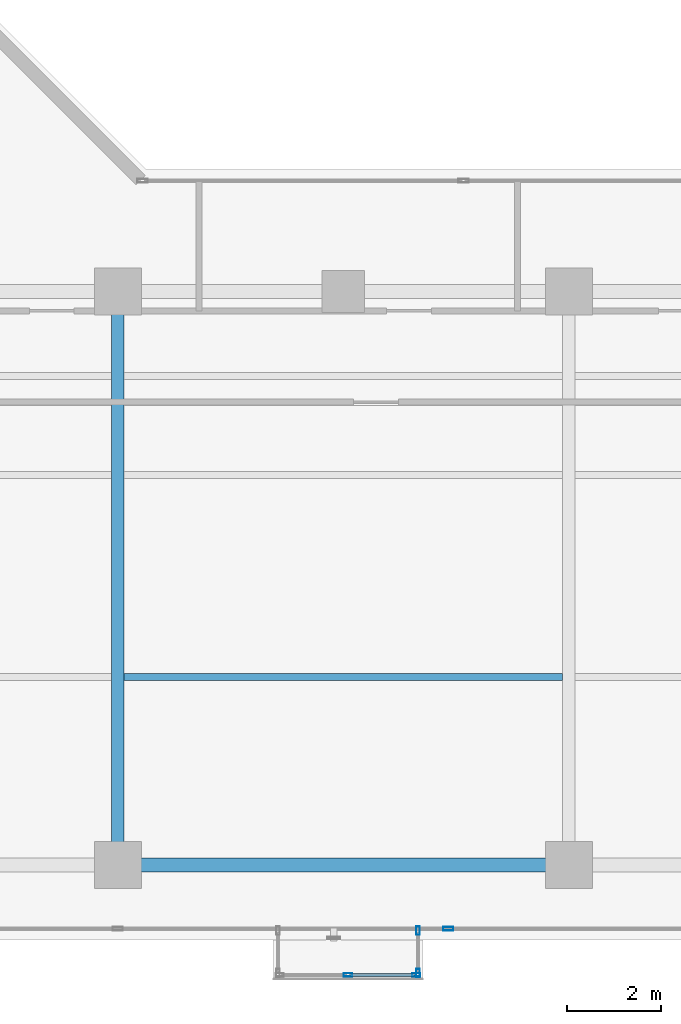
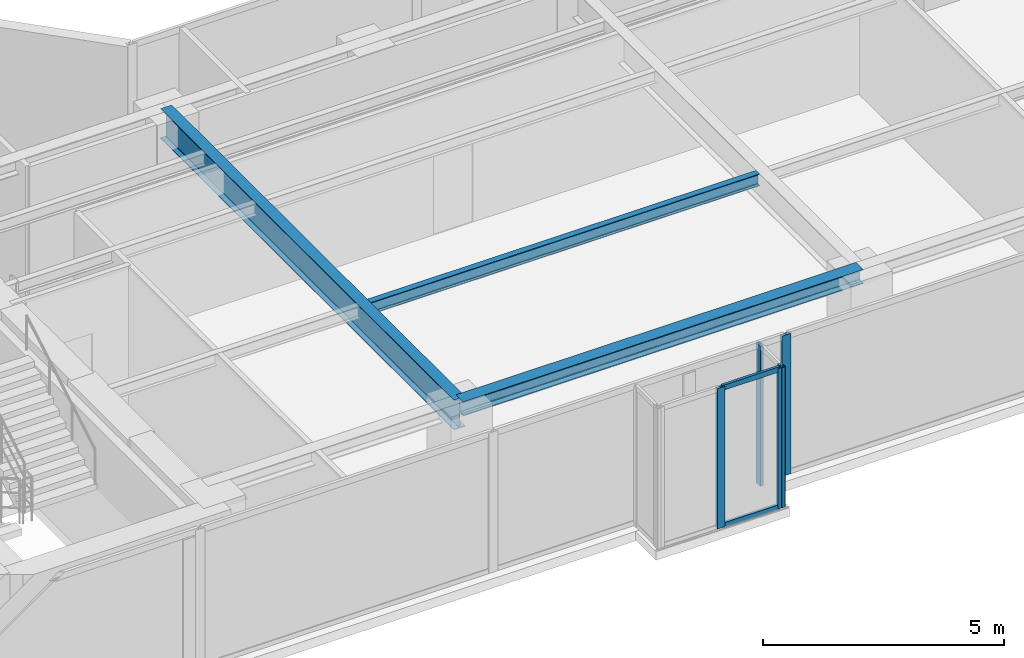
# One storey, part 5 of 23: 7 members, 3 beams, 3 elements without a shape of their own.
"""IFC4 building model written with IfcOpenShell, lengths in metres."""

from ifc_helpers import new_model, si_unit, direction, frame, origin, origin_with_axes, origin_2d, place, context, subcontext, project, spatial, hollow_rectangle, i_section, extrude, source, transform, mapped, material, layer, layer_set, material_profile, profile_set, type_object, element, aggregate, save


model = new_model("IFC4")

# Units and contexts
model_context = context("Model", 3, precision=1e-05, world=origin(), true_north=direction((0.0, 1.0)))
body_context = subcontext(model_context, "Body", "Model", "MODEL_VIEW")
ifc_project = project(units=[si_unit("LENGTHUNIT", "METRE"), si_unit("AREAUNIT", "SQUARE_METRE"), si_unit("VOLUMEUNIT", "CUBIC_METRE"), si_unit("PLANEANGLEUNIT", "RADIAN"), si_unit("MASSUNIT", "GRAM", prefix="KILO")], contexts=[model_context])

# Site, building, storey
site_placement = place(None, origin())
site = spatial("IfcSite", under=ifc_project, at=site_placement, CompositionType="ELEMENT")
building_placement = place(site_placement, origin())
building = spatial("IfcBuilding", under=site, at=building_placement, Name="Kolvaren Waterfront Exchange", CompositionType="ELEMENT")
storey_placement = place(building_placement, frame((0.0, 0.0, 250.10009765625)))
storey = spatial("IfcBuildingStorey", under=building, at=storey_placement, Name="L64", CompositionType="ELEMENT", Elevation=250.10009765625)

# Beams
ifc_material_1 = material(Name="Steel S355", Category="steel")
ifc_material_profile_1 = material_profile(ifc_material_1, i_section(OverallWidth=0.300048828125, OverallDepth=0.360107421875, WebThickness=0.012451171875, FlangeThickness=0.0224609375, FilletRadius=0.027099609375, at=origin_2d()), Name="HEB360")
ifc_profile_set_1 = profile_set([ifc_material_profile_1], Name="Steel S355")
beam_type_1 = type_object("IfcBeamType", Name="STR-BM-HEB360", PredefinedType="SPANDREL", material=ifc_profile_set_1)
beam_1_placement = place(storey_placement, frame((27.199951171875, 5.199951171875, 3.3798828125), z_axis=(1.0, 0.0, 0.0), x_axis=(0.0, 1.0, 0.0)))
element("IfcBeam", 1, at=beam_1_placement, inside=storey, type_object=beam_type_1, Name="L64 east-arm spandrel S2", PredefinedType="SPANDREL", context=body_context, shape_type="SweptSolid", body=[
    extrude(i_section(OverallWidth=0.300048828125, OverallDepth=0.360107421875, WebThickness=0.012451171875, FlangeThickness=0.0224609375, FilletRadius=0.027099609375, at=origin_2d()), origin(), (0.0, 0.0, 1.0), 9.60009765625),
])
ifc_material_profile_2 = material_profile(ifc_material_1, i_section(OverallWidth=0.14990234375, OverallDepth=0.300048828125, WebThickness=0.007080078125, FlangeThickness=0.0107421875, FilletRadius=0.014892578125, at=origin_2d()), Name="IPE300")
ifc_profile_set_2 = profile_set([ifc_material_profile_2], Name="Steel S355")
beam_type_2 = type_object("IfcBeamType", Name="STR-BM-IPE300", PredefinedType="JOIST", material=ifc_profile_set_2)
beam_2_placement = place(storey_placement, frame((27.33544921875, 9.199951171875, 3.409912109375), z_axis=(1.0, 0.0, 0.0), x_axis=(0.0, 1.0, 0.0)))
element("IfcBeam", 2, at=beam_2_placement, inside=storey, type_object=beam_type_2, Name="L64 east-arm composite joist 2B", PredefinedType="JOIST", context=body_context, shape_type="SweptSolid", body=[
    extrude(i_section(OverallWidth=0.14990234375, OverallDepth=0.300048828125, WebThickness=0.007080078125, FlangeThickness=0.0107421875, FilletRadius=0.014892578125, at=origin_2d()), origin(), (0.0, 0.0, 1.0), 9.3291015625),
])
ifc_material_profile_3 = material_profile(ifc_material_1, i_section(OverallWidth=0.26708984375, OverallDepth=0.761962890625, WebThickness=0.014404296875, FlangeThickness=0.021484375, FilletRadius=0.01708984375, at=origin_2d()), Name="IPE750x173")
ifc_profile_set_3 = profile_set([ifc_material_profile_3], Name="Steel S355")
beam_type_3 = type_object("IfcBeamType", Name="STR-BM-IPE750", PredefinedType="BEAM", material=ifc_profile_set_3)
beam_3_placement = place(storey_placement, frame((27.199951171875, 5.199951171875, 3.178955078125), z_axis=(0.0, 1.0, 0.0), x_axis=(-1.0, 0.0, 0.0)))
element("IfcBeam", 3, at=beam_3_placement, inside=storey, type_object=beam_type_3, Name="L64 east-arm transverse girder X27", PredefinedType="BEAM", context=body_context, shape_type="SweptSolid", body=[
    extrude(i_section(OverallWidth=0.26708984375, OverallDepth=0.761962890625, WebThickness=0.014404296875, FlangeThickness=0.021484375, FilletRadius=0.01708984375, at=origin_2d()), origin(), (0.0, 0.0, 1.0), 12.199951171875),
])

# Curtain wall, members
ifc_material_2 = material(Name="Anodised bronze aluminium 6063-T6", Category="aluminium")
ifc_layer_1 = layer(ifc_material_2, 0.219970703125, Name="Anodised bronze aluminium 6063-T6")
ifc_layer_set_1 = layer_set([ifc_layer_1], Name="Anodised bronze aluminium 6063-T6")
curtain_wall_type_1 = type_object("IfcCurtainWallType", Name="ARC-CW-SYS3", PredefinedType="USERDEFINED", material=ifc_layer_set_1)
curtain_wall_1_placement = place(storey_placement, origin())
curtain_wall_1 = element("IfcCurtainWall", 4, at=curtain_wall_1_placement, inside=storey, type_object=curtain_wall_type_1, Name="L64 stick curtain wall CW3 (CW-L64-BOX)", ObjectType="STICK CURTAIN WALL", PredefinedType="USERDEFINED")
ifc_material_profile_4 = material_profile(ifc_material_2, hollow_rectangle(XDim=0.06494140625, YDim=0.1298828125, WallThickness=0.00390625, at=origin_2d()), Name="ALU-TRN-130x65x4")
ifc_profile_set_4 = profile_set([ifc_material_profile_4], Name="Anodised bronze aluminium 6063-T6")
member_type_1 = type_object("IfcMemberType", Name="ARC-CWT-130", PredefinedType="USERDEFINED", material=ifc_profile_set_4)
shared_shape_1 = source(origin_with_axes(), body_context, "Body", "SweptSolid", [
    extrude(hollow_rectangle(XDim=0.06494140625, YDim=0.1298828125, WallThickness=0.00390625, at=origin_2d()), origin(), (0.0, 0.0, 1.0), 1.37744140625),
])
member_1_placement = place(storey_placement, frame((32.137451171875, 2.860107421875, 0.032470703125), z_axis=(1.0, 0.0, 0.0), x_axis=(0.0, 1.0, 0.0)))
member_1 = element("IfcMember", 5, at=member_1_placement, type_object=member_type_1, Name="CW3 transom 2.1", ObjectType="TRANSOM", PredefinedType="USERDEFINED", context=body_context, shape_type="MappedRepresentation", body=[
    mapped(shared_shape_1, transform((0.0, 0.0, 0.0), x_axis=(1.0, 0.0, 0.0), y_axis=(0.0, 1.0, 0.0), z_axis=(0.0, 0.0, 1.0), scale=1.0)),
])
member_2_placement = place(storey_placement, frame((32.137451171875, 2.860107421875, 3.52734375), z_axis=(1.0, 0.0, 0.0), x_axis=(0.0, 1.0, 0.0)))
member_2 = element("IfcMember", 6, at=member_2_placement, type_object=member_type_1, Name="CW3 transom 2.2", ObjectType="TRANSOM", PredefinedType="USERDEFINED", context=body_context, shape_type="MappedRepresentation", body=[
    mapped(shared_shape_1, transform((0.0, 0.0, 0.0), x_axis=(1.0, 0.0, 0.0), y_axis=(0.0, 1.0, 0.0), z_axis=(0.0, 0.0, 1.0), scale=1.0)),
])
ifc_material_profile_5 = material_profile(ifc_material_2, hollow_rectangle(XDim=0.074951171875, YDim=0.179931640625, WallThickness=0.00439453125, at=origin_2d()), Name="ALU-MUL-180x75x4.5")
ifc_profile_set_5 = profile_set([ifc_material_profile_5], Name="Anodised bronze aluminium 6063-T6")
member_type_2 = type_object("IfcMemberType", Name="ARC-CWM-180", PredefinedType="MULLION", material=ifc_profile_set_5)
shared_shape_2 = source(origin_with_axes(), body_context, "Body", "SweptSolid", [
    extrude(hollow_rectangle(XDim=0.074951171875, YDim=0.179931640625, WallThickness=0.00439453125, at=origin_2d()), origin(), (0.0, 0.0, 1.0), 3.559814453125),
])
member_3_placement = place(storey_placement, frame((32.10009765625, 2.860107421875, 0.0), z_axis=(0.0, 0.0, 1.0), x_axis=(0.0, 1.0, 0.0)))
member_3 = element("IfcMember", 7, at=member_3_placement, type_object=member_type_2, Name="CW3 mullion 2", PredefinedType="MULLION", context=body_context, shape_type="MappedRepresentation", body=[
    mapped(shared_shape_2, transform((0.0, 0.0, 0.0), x_axis=(1.0, 0.0, 0.0), y_axis=(0.0, 1.0, 0.0), z_axis=(0.0, 0.0, 1.0), scale=1.0)),
])
member_4_placement = place(storey_placement, frame((33.552490234375, 2.860107421875, 0.0), z_axis=(0.0, 0.0, 1.0), x_axis=(0.0, 1.0, 0.0)))
member_4 = element("IfcMember", 8, at=member_4_placement, type_object=member_type_2, Name="CW3 mullion 3", PredefinedType="MULLION", context=body_context, shape_type="MappedRepresentation", body=[
    mapped(shared_shape_2, transform((0.0, 0.0, 0.0), x_axis=(1.0, 0.0, 0.0), y_axis=(0.0, 1.0, 0.0), z_axis=(0.0, 0.0, 1.0), scale=1.0)),
])
aggregate(curtain_wall_1, [member_3, member_4, member_1, member_2])

curtain_wall_2_placement = place(storey_placement, origin())
curtain_wall_2 = element("IfcCurtainWall", 9, at=curtain_wall_2_placement, inside=storey, type_object=curtain_wall_type_1, Name="L64 stick curtain wall CW3 (CW-L64-BOX-E)", ObjectType="STICK CURTAIN WALL", PredefinedType="USERDEFINED")
member_5_placement = place(storey_placement, frame((33.590087890625, 2.8974609375, 0.0), z_axis=(0.0, 0.0, 1.0), x_axis=(-1.0, 0.0, 0.0)))
member_5 = element("IfcMember", 10, at=member_5_placement, type_object=member_type_2, Name="CW3 mullion 1", PredefinedType="MULLION", context=body_context, shape_type="MappedRepresentation", body=[
    mapped(shared_shape_2, transform((0.0, 0.0, 0.0), x_axis=(1.0, 0.0, 0.0), y_axis=(0.0, 1.0, 0.0), z_axis=(0.0, 0.0, 1.0), scale=1.0)),
])
member_6_placement = place(storey_placement, frame((33.590087890625, 3.802490234375, 0.0), z_axis=(0.0, 0.0, 1.0), x_axis=(-1.0, 0.0, 0.0)))
member_6 = element("IfcMember", 11, at=member_6_placement, type_object=member_type_2, Name="CW3 mullion 2", PredefinedType="MULLION", context=body_context, shape_type="MappedRepresentation", body=[
    mapped(shared_shape_2, transform((0.0, 0.0, 0.0), x_axis=(1.0, 0.0, 0.0), y_axis=(0.0, 1.0, 0.0), z_axis=(0.0, 0.0, 1.0), scale=1.0)),
])
aggregate(curtain_wall_2, [member_5, member_6])

# Curtain wall, member
ifc_layer_2 = layer(ifc_material_2, 0.219970703125, Name="Anodised bronze aluminium 6063-T6")
ifc_layer_set_2 = layer_set([ifc_layer_2], Name="Anodised bronze aluminium 6063-T6")
curtain_wall_type_2 = type_object("IfcCurtainWallType", Name="ARC-CW-SYS1", PredefinedType="USERDEFINED", material=ifc_layer_set_2)
curtain_wall_3_placement = place(storey_placement, origin())
curtain_wall_3 = element("IfcCurtainWall", 12, at=curtain_wall_3_placement, inside=storey, type_object=curtain_wall_type_2, Name="L64 stick curtain wall CW1 (CW-L64-S)", ObjectType="STICK CURTAIN WALL", PredefinedType="USERDEFINED")
ifc_material_3 = material(Name="Anodised aluminium 6063-T6", Category="aluminium")
ifc_material_profile_6 = material_profile(ifc_material_3, hollow_rectangle(XDim=0.080078125, YDim=0.219970703125, WallThickness=0.0048828125, at=origin_2d()), Name="ALU-MUL-220x80x5")
ifc_profile_set_6 = profile_set([ifc_material_profile_6], Name="Anodised aluminium 6063-T6")
member_type_3 = type_object("IfcMemberType", Name="ARC-CWM-220", PredefinedType="MULLION", material=ifc_profile_set_6)
shared_shape_3 = source(origin_with_axes(), body_context, "Body", "SweptSolid", [
    extrude(hollow_rectangle(XDim=0.080078125, YDim=0.219970703125, WallThickness=0.0048828125, at=origin_2d()), origin(), (0.0, 0.0, 1.0), 3.559814453125),
])
member_7_placement = place(storey_placement, frame((34.2333984375, 3.840087890625, 0.0), z_axis=(0.0, 0.0, 1.0), x_axis=(0.0, 1.0, 0.0)))
member_7 = element("IfcMember", 13, at=member_7_placement, type_object=member_type_3, Name="CW1 mullion 5", PredefinedType="MULLION", context=body_context, shape_type="MappedRepresentation", body=[
    mapped(shared_shape_3, transform((0.0, 0.0, 0.0), x_axis=(1.0, 0.0, 0.0), y_axis=(0.0, 1.0, 0.0), z_axis=(0.0, 0.0, 1.0), scale=1.0)),
])
aggregate(curtain_wall_3, [member_7])

save(model, "model.ifc")
